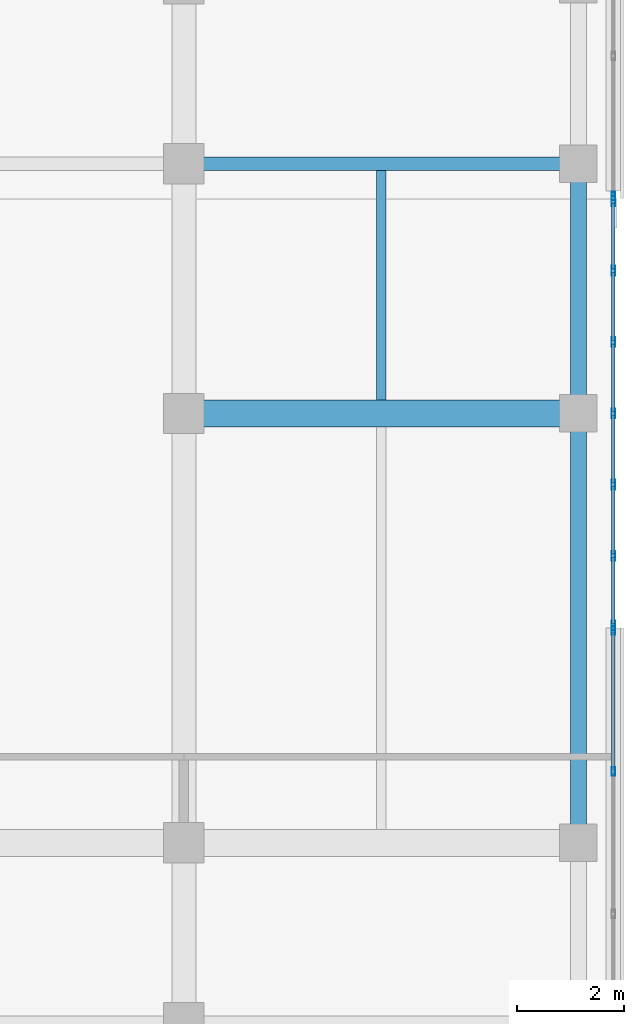
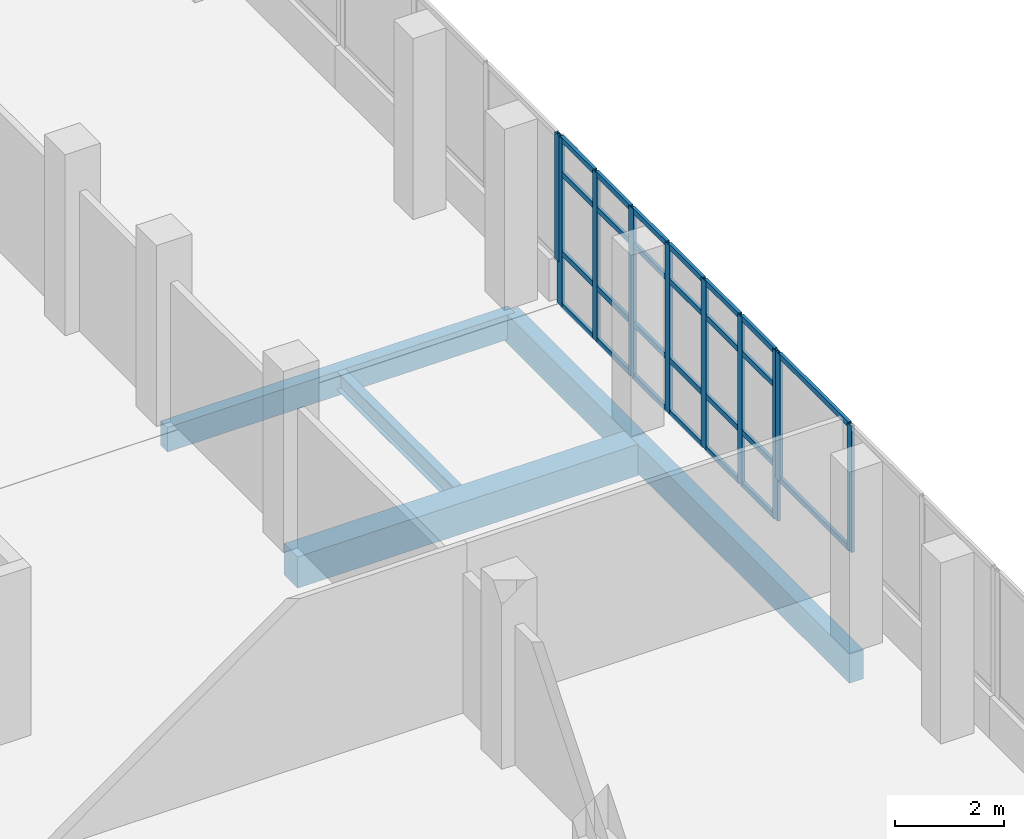
# One storey, part 63 of 101: 36 members, 5 beams, 3 elements without a shape of their own.
"""IFC4 building model written with IfcOpenShell, lengths in metres."""

from ifc_helpers import new_model, si_unit, direction, frame, origin, origin_2d, place, context, subcontext, project, spatial, rectangle, hollow_rectangle, i_section, extrude, material, material_profile, profile_set, type_object, element, aggregate, save


model = new_model("IFC4")

# Units and contexts
model_context = context("Model", 3, precision=1e-05, world=origin(), true_north=direction((0.0, 1.0)))
body_context = subcontext(model_context, "Body", "Model", "MODEL_VIEW")
ifc_project = project(units=[si_unit("LENGTHUNIT", "METRE"), si_unit("AREAUNIT", "SQUARE_METRE"), si_unit("VOLUMEUNIT", "CUBIC_METRE"), si_unit("PLANEANGLEUNIT", "RADIAN"), si_unit("MASSUNIT", "GRAM", prefix="KILO")], contexts=[model_context])

# Site, building, storey
site_placement = place(None, origin())
site = spatial("IfcSite", under=ifc_project, at=site_placement, CompositionType="ELEMENT")
building_placement = place(site_placement, origin())
building = spatial("IfcBuilding", under=site, at=building_placement, Name="Selatvlak General Hospital", CompositionType="ELEMENT")
storey_placement = place(building_placement, frame((0.0, 0.0, 19.199951171875)))
storey = spatial("IfcBuildingStorey", under=building, at=storey_placement, Name="L04", CompositionType="ELEMENT", Elevation=19.199951171875)

# Beams
ifc_material_1 = material(Name="Concrete C40/50", Category="concrete")
ifc_material_profile_1 = material_profile(ifc_material_1, rectangle(XDim=0.5, YDim=0.699951171875, at=origin_2d()), Name="RC-BM 500x700")
ifc_profile_set_1 = profile_set([ifc_material_profile_1], Name="Concrete C40/50")
beam_type_1 = type_object("IfcBeamType", Name="BM-G03", PredefinedType="BEAM", material=ifc_profile_set_1)
beam_1_placement = place(storey_placement, frame((174.0, 84.0, -0.655029296875), z_axis=(1.0, 0.0, 0.0), x_axis=(0.0, 1.0, 0.0)))
element("IfcBeam", 1, at=beam_1_placement, inside=storey, type_object=beam_type_1, Name="Beam BMR-L04-1536", PredefinedType="BEAM", context=body_context, shape_type="SweptSolid", body=[
    extrude(rectangle(XDim=0.5, YDim=0.699951171875, at=origin_2d()), origin(), (0.0, 0.0, 1.0), 7.35009765625),
])
ifc_material_2 = material(Name="Steel S355", Category="steel")
ifc_material_profile_2 = material_profile(ifc_material_2, i_section(OverallWidth=0.177978515625, OverallDepth=0.406494140625, WebThickness=0.0078125, FlangeThickness=0.0126953125, at=origin_2d()), Name="UB 406x178x60")
ifc_profile_set_2 = profile_set([ifc_material_profile_2], Name="Steel S355")
beam_type_2 = type_object("IfcBeamType", Name="BM-J04", PredefinedType="JOIST", material=ifc_profile_set_2)
beam_2_placement = place(storey_placement, frame((177.675048828125, 84.25, -0.508056640625), z_axis=(0.0, 1.0, 0.0), x_axis=(-1.0, 0.0, 0.0)))
element("IfcBeam", 2, at=beam_2_placement, inside=storey, type_object=beam_type_2, Name="Beam BMR-L04-1787", PredefinedType="JOIST", context=body_context, shape_type="SweptSolid", body=[
    extrude(i_section(OverallWidth=0.177978515625, OverallDepth=0.406494140625, WebThickness=0.0078125, FlangeThickness=0.0126953125, at=origin_2d()), origin(), (0.0, 0.0, 1.0), 4.27490234375),
])
ifc_material_profile_3 = material_profile(ifc_material_1, rectangle(XDim=0.300048828125, YDim=0.64990234375, at=origin_2d()), Name="RC-SP 300x650")
ifc_profile_set_3 = profile_set([ifc_material_profile_3], Name="Concrete C40/50")
beam_type_3 = type_object("IfcBeamType", Name="BM-SP1", PredefinedType="SPANDREL", material=ifc_profile_set_3)
beam_3_placement = place(storey_placement, frame((181.35009765625, 76.0, -0.6298828125), z_axis=(0.0, 1.0, 0.0), x_axis=(-1.0, 0.0, 0.0)))
element("IfcBeam", 3, at=beam_3_placement, inside=storey, type_object=beam_type_3, Name="Beam BMR-L04-1769", PredefinedType="SPANDREL", context=body_context, shape_type="SweptSolid", body=[
    extrude(rectangle(XDim=0.300048828125, YDim=0.64990234375, at=origin_2d()), origin(), (0.0, 0.0, 1.0), 8.0),
])
beam_4_placement = place(storey_placement, frame((181.35009765625, 84.0, -0.6298828125), z_axis=(0.0, 1.0, 0.0), x_axis=(-1.0, 0.0, 0.0)))
element("IfcBeam", 4, at=beam_4_placement, inside=storey, type_object=beam_type_3, Name="Beam BMR-L04-1770", PredefinedType="SPANDREL", context=body_context, shape_type="SweptSolid", body=[
    extrude(rectangle(XDim=0.300048828125, YDim=0.64990234375, at=origin_2d()), origin(), (0.0, 0.0, 1.0), 4.64990234375),
])
ifc_material_profile_4 = material_profile(ifc_material_1, rectangle(XDim=0.25, YDim=0.550048828125, at=origin_2d()), Name="RC-SP 250x550")
ifc_profile_set_4 = profile_set([ifc_material_profile_4], Name="Concrete C40/50")
beam_type_4 = type_object("IfcBeamType", Name="BM-SP2", PredefinedType="SPANDREL", material=ifc_profile_set_4)
beam_5_placement = place(storey_placement, frame((174.0, 88.64990234375, -0.579833984375), z_axis=(1.0, 0.0, 0.0), x_axis=(0.0, 1.0, 0.0)))
element("IfcBeam", 5, at=beam_5_placement, inside=storey, type_object=beam_type_4, Name="Beam BMR-L04-1553", PredefinedType="SPANDREL", context=body_context, shape_type="SweptSolid", body=[
    extrude(rectangle(XDim=0.25, YDim=0.550048828125, at=origin_2d()), origin(), (0.0, 0.0, 1.0), 7.35009765625),
])

# Curtain wall, member
ifc_material_3 = material(Name="Solar-control Low-E double glazing", Category="glass")
curtain_wall_type_1 = type_object("IfcCurtainWallType", Name="CW-CW-01", PredefinedType="USERDEFINED", material=ifc_material_3)
curtain_wall_1_placement = place(storey_placement, origin())
curtain_wall_1 = element("IfcCurtainWall", 6, at=curtain_wall_1_placement, inside=storey, type_object=curtain_wall_type_1, Name="Glazed facade curtain wall CW-L04-0503", ObjectType="UNITISED CURTAIN WALL", PredefinedType="USERDEFINED")
ifc_material_4 = material(Name="Dark anodised aluminium mullion", Category="aluminium")
ifc_material_profile_5 = material_profile(ifc_material_4, hollow_rectangle(XDim=0.06494140625, YDim=0.159912109375, WallThickness=0.00390625, at=origin_2d()), Name="AL-MUL 65x160x4")
ifc_profile_set_5 = profile_set([ifc_material_profile_5], Name="Dark anodised aluminium mullion")
member_type_1 = type_object("IfcMemberType", Name="CWM-01", PredefinedType="MULLION", material=ifc_profile_set_5)
member_1_placement = place(storey_placement, frame((182.0, 88.048583984375, 0.93994140625), z_axis=(0.0, 0.0, 1.0), x_axis=(1.0, 0.0, 0.0)))
member_1 = element("IfcMember", 7, at=member_1_placement, type_object=member_type_1, Name="CW-01 mullion 4", PredefinedType="MULLION", context=body_context, shape_type="SweptSolid", body=[
    extrude(hollow_rectangle(XDim=0.06494140625, YDim=0.159912109375, WallThickness=0.00390625, at=origin_2d()), origin(), (0.0, 0.0, 1.0), 2.830078125),
])
aggregate(curtain_wall_1, [member_1])

# Curtain wall, members
curtain_wall_2_placement = place(storey_placement, origin())
curtain_wall_2 = element("IfcCurtainWall", 8, at=curtain_wall_2_placement, inside=storey, type_object=curtain_wall_type_1, Name="Glazed facade curtain wall CW-L04-0505", ObjectType="UNITISED CURTAIN WALL", PredefinedType="USERDEFINED")
member_2_placement = place(storey_placement, frame((182.0, 79.95361328125, 0.93994140625), z_axis=(0.0, 0.0, 1.0), x_axis=(1.0, 0.0, 0.0)))
member_2 = element("IfcMember", 9, at=member_2_placement, type_object=member_type_1, Name="CW-01 mullion 1", PredefinedType="MULLION", context=body_context, shape_type="SweptSolid", body=[
    extrude(hollow_rectangle(XDim=0.06494140625, YDim=0.159912109375, WallThickness=0.00390625, at=origin_2d()), origin(), (0.0, 0.0, 1.0), 2.830078125),
])
member_3_placement = place(storey_placement, frame((182.0, 77.329345703125, 0.93994140625), z_axis=(0.0, 0.0, 1.0), x_axis=(1.0, 0.0, 0.0)))
member_3 = element("IfcMember", 10, at=member_3_placement, type_object=member_type_1, Name="CW-01 mullion 2", PredefinedType="MULLION", context=body_context, shape_type="SweptSolid", body=[
    extrude(hollow_rectangle(XDim=0.06494140625, YDim=0.159912109375, WallThickness=0.00390625, at=origin_2d()), origin(), (0.0, 0.0, 1.0), 2.830078125),
])

curtain_wall_type_2 = type_object("IfcCurtainWallType", Name="CW-CW-04", PredefinedType="USERDEFINED", material=ifc_material_3)
curtain_wall_3_placement = place(storey_placement, origin())
curtain_wall_3 = element("IfcCurtainWall", 11, at=curtain_wall_3_placement, inside=storey, type_object=curtain_wall_type_2, Name="Glazed facade curtain wall CW-L04-0504", ObjectType="STICK GLAZING WALL", PredefinedType="USERDEFINED")
ifc_material_profile_6 = material_profile(ifc_material_4, hollow_rectangle(XDim=0.06494140625, YDim=0.179931640625, WallThickness=0.00439453125, at=origin_2d()), Name="AL-MUL 65x180x4.5")
ifc_profile_set_6 = profile_set([ifc_material_profile_6], Name="Dark anodised aluminium mullion")
member_type_2 = type_object("IfcMemberType", Name="CWM-02", PredefinedType="MULLION", material=ifc_profile_set_6)
member_4_placement = place(storey_placement, frame((182.0, 87.95361328125, 0.0), z_axis=(0.0, 0.0, 1.0), x_axis=(1.0, 0.0, 0.0)))
member_4 = element("IfcMember", 12, at=member_4_placement, type_object=member_type_2, Name="CW-04 mullion 1", PredefinedType="MULLION", context=body_context, shape_type="SweptSolid", body=[
    extrude(hollow_rectangle(XDim=0.06494140625, YDim=0.179931640625, WallThickness=0.00439453125, at=origin_2d()), origin(), (0.0, 0.0, 1.0), 3.77001953125),
])
member_5_placement = place(storey_placement, frame((182.0, 86.65771484375, 0.0), z_axis=(0.0, 0.0, 1.0), x_axis=(1.0, 0.0, 0.0)))
member_5 = element("IfcMember", 13, at=member_5_placement, type_object=member_type_2, Name="CW-04 mullion 2", PredefinedType="MULLION", context=body_context, shape_type="SweptSolid", body=[
    extrude(hollow_rectangle(XDim=0.06494140625, YDim=0.179931640625, WallThickness=0.00439453125, at=origin_2d()), origin(), (0.0, 0.0, 1.0), 3.77001953125),
])
member_6_placement = place(storey_placement, frame((182.0, 85.329345703125, 0.0), z_axis=(0.0, 0.0, 1.0), x_axis=(1.0, 0.0, 0.0)))
member_6 = element("IfcMember", 14, at=member_6_placement, type_object=member_type_2, Name="CW-04 mullion 3", PredefinedType="MULLION", context=body_context, shape_type="SweptSolid", body=[
    extrude(hollow_rectangle(XDim=0.06494140625, YDim=0.179931640625, WallThickness=0.00439453125, at=origin_2d()), origin(), (0.0, 0.0, 1.0), 3.77001953125),
])
member_7_placement = place(storey_placement, frame((182.0, 84.0009765625, 0.0), z_axis=(0.0, 0.0, 1.0), x_axis=(1.0, 0.0, 0.0)))
member_7 = element("IfcMember", 15, at=member_7_placement, type_object=member_type_2, Name="CW-04 mullion 4", PredefinedType="MULLION", context=body_context, shape_type="SweptSolid", body=[
    extrude(hollow_rectangle(XDim=0.06494140625, YDim=0.179931640625, WallThickness=0.00439453125, at=origin_2d()), origin(), (0.0, 0.0, 1.0), 3.77001953125),
])
member_8_placement = place(storey_placement, frame((182.0, 82.672607421875, 0.0), z_axis=(0.0, 0.0, 1.0), x_axis=(1.0, 0.0, 0.0)))
member_8 = element("IfcMember", 16, at=member_8_placement, type_object=member_type_2, Name="CW-04 mullion 5", PredefinedType="MULLION", context=body_context, shape_type="SweptSolid", body=[
    extrude(hollow_rectangle(XDim=0.06494140625, YDim=0.179931640625, WallThickness=0.00439453125, at=origin_2d()), origin(), (0.0, 0.0, 1.0), 3.77001953125),
])
member_9_placement = place(storey_placement, frame((182.0, 81.34423828125, 0.0), z_axis=(0.0, 0.0, 1.0), x_axis=(1.0, 0.0, 0.0)))
member_9 = element("IfcMember", 17, at=member_9_placement, type_object=member_type_2, Name="CW-04 mullion 6", PredefinedType="MULLION", context=body_context, shape_type="SweptSolid", body=[
    extrude(hollow_rectangle(XDim=0.06494140625, YDim=0.179931640625, WallThickness=0.00439453125, at=origin_2d()), origin(), (0.0, 0.0, 1.0), 3.77001953125),
])
member_10_placement = place(storey_placement, frame((182.0, 80.048583984375, 0.0), z_axis=(0.0, 0.0, 1.0), x_axis=(1.0, 0.0, 0.0)))
member_10 = element("IfcMember", 18, at=member_10_placement, type_object=member_type_2, Name="CW-04 mullion 7", PredefinedType="MULLION", context=body_context, shape_type="SweptSolid", body=[
    extrude(hollow_rectangle(XDim=0.06494140625, YDim=0.179931640625, WallThickness=0.00439453125, at=origin_2d()), origin(), (0.0, 0.0, 1.0), 3.77001953125),
])
ifc_material_profile_7 = material_profile(ifc_material_4, hollow_rectangle(XDim=0.06494140625, YDim=0.1201171875, WallThickness=0.00390625, at=origin_2d()), Name="AL-TRN 65x120x4")
ifc_profile_set_7 = profile_set([ifc_material_profile_7], Name="Dark anodised aluminium mullion")
member_type_3 = type_object("IfcMemberType", Name="CWT-01", PredefinedType="USERDEFINED", material=ifc_profile_set_7)
member_11_placement = place(storey_placement, frame((182.0, 87.9208984375, 0.032470703125), z_axis=(0.0, -1.0, 0.0), x_axis=(1.0, 0.0, 0.0)))
member_11 = element("IfcMember", 19, at=member_11_placement, type_object=member_type_3, Name="CW-04 transom 1.1", ObjectType="TRANSOM", PredefinedType="USERDEFINED", context=body_context, shape_type="SweptSolid", body=[
    extrude(hollow_rectangle(XDim=0.06494140625, YDim=0.1201171875, WallThickness=0.00390625, at=origin_2d()), origin(), (0.0, 0.0, 1.0), 1.230712890625),
])
member_12_placement = place(storey_placement, frame((182.0, 87.9208984375, 1.199951171875), z_axis=(0.0, -1.0, 0.0), x_axis=(1.0, 0.0, 0.0)))
member_12 = element("IfcMember", 20, at=member_12_placement, type_object=member_type_3, Name="CW-04 transom 1.2", ObjectType="TRANSOM", PredefinedType="USERDEFINED", context=body_context, shape_type="SweptSolid", body=[
    extrude(hollow_rectangle(XDim=0.06494140625, YDim=0.1201171875, WallThickness=0.00390625, at=origin_2d()), origin(), (0.0, 0.0, 1.0), 1.230712890625),
])
member_13_placement = place(storey_placement, frame((182.0, 87.9208984375, 2.969970703125), z_axis=(0.0, -1.0, 0.0), x_axis=(1.0, 0.0, 0.0)))
member_13 = element("IfcMember", 21, at=member_13_placement, type_object=member_type_3, Name="CW-04 transom 1.3", ObjectType="TRANSOM", PredefinedType="USERDEFINED", context=body_context, shape_type="SweptSolid", body=[
    extrude(hollow_rectangle(XDim=0.06494140625, YDim=0.1201171875, WallThickness=0.00390625, at=origin_2d()), origin(), (0.0, 0.0, 1.0), 1.230712890625),
])
member_14_placement = place(storey_placement, frame((182.0, 87.9208984375, 3.737548828125), z_axis=(0.0, -1.0, 0.0), x_axis=(1.0, 0.0, 0.0)))
member_14 = element("IfcMember", 22, at=member_14_placement, type_object=member_type_3, Name="CW-04 transom 1.4", ObjectType="TRANSOM", PredefinedType="USERDEFINED", context=body_context, shape_type="SweptSolid", body=[
    extrude(hollow_rectangle(XDim=0.06494140625, YDim=0.1201171875, WallThickness=0.00390625, at=origin_2d()), origin(), (0.0, 0.0, 1.0), 1.230712890625),
])
member_15_placement = place(storey_placement, frame((182.0, 86.625244140625, 0.032470703125), z_axis=(0.0, -1.0, 0.0), x_axis=(1.0, 0.0, 0.0)))
member_15 = element("IfcMember", 23, at=member_15_placement, type_object=member_type_3, Name="CW-04 transom 2.1", ObjectType="TRANSOM", PredefinedType="USERDEFINED", context=body_context, shape_type="SweptSolid", body=[
    extrude(hollow_rectangle(XDim=0.06494140625, YDim=0.1201171875, WallThickness=0.00390625, at=origin_2d()), origin(), (0.0, 0.0, 1.0), 1.263427734375),
])
member_16_placement = place(storey_placement, frame((182.0, 86.625244140625, 1.199951171875), z_axis=(0.0, -1.0, 0.0), x_axis=(1.0, 0.0, 0.0)))
member_16 = element("IfcMember", 24, at=member_16_placement, type_object=member_type_3, Name="CW-04 transom 2.2", ObjectType="TRANSOM", PredefinedType="USERDEFINED", context=body_context, shape_type="SweptSolid", body=[
    extrude(hollow_rectangle(XDim=0.06494140625, YDim=0.1201171875, WallThickness=0.00390625, at=origin_2d()), origin(), (0.0, 0.0, 1.0), 1.263427734375),
])
member_17_placement = place(storey_placement, frame((182.0, 86.625244140625, 2.969970703125), z_axis=(0.0, -1.0, 0.0), x_axis=(1.0, 0.0, 0.0)))
member_17 = element("IfcMember", 25, at=member_17_placement, type_object=member_type_3, Name="CW-04 transom 2.3", ObjectType="TRANSOM", PredefinedType="USERDEFINED", context=body_context, shape_type="SweptSolid", body=[
    extrude(hollow_rectangle(XDim=0.06494140625, YDim=0.1201171875, WallThickness=0.00390625, at=origin_2d()), origin(), (0.0, 0.0, 1.0), 1.263427734375),
])
member_18_placement = place(storey_placement, frame((182.0, 86.625244140625, 3.737548828125), z_axis=(0.0, -1.0, 0.0), x_axis=(1.0, 0.0, 0.0)))
member_18 = element("IfcMember", 26, at=member_18_placement, type_object=member_type_3, Name="CW-04 transom 2.4", ObjectType="TRANSOM", PredefinedType="USERDEFINED", context=body_context, shape_type="SweptSolid", body=[
    extrude(hollow_rectangle(XDim=0.06494140625, YDim=0.1201171875, WallThickness=0.00390625, at=origin_2d()), origin(), (0.0, 0.0, 1.0), 1.263427734375),
])
member_19_placement = place(storey_placement, frame((182.0, 85.296875, 0.032470703125), z_axis=(0.0, -1.0, 0.0), x_axis=(1.0, 0.0, 0.0)))
member_19 = element("IfcMember", 27, at=member_19_placement, type_object=member_type_3, Name="CW-04 transom 3.1", ObjectType="TRANSOM", PredefinedType="USERDEFINED", context=body_context, shape_type="SweptSolid", body=[
    extrude(hollow_rectangle(XDim=0.06494140625, YDim=0.1201171875, WallThickness=0.00390625, at=origin_2d()), origin(), (0.0, 0.0, 1.0), 1.263427734375),
])
member_20_placement = place(storey_placement, frame((182.0, 85.296875, 1.199951171875), z_axis=(0.0, -1.0, 0.0), x_axis=(1.0, 0.0, 0.0)))
member_20 = element("IfcMember", 28, at=member_20_placement, type_object=member_type_3, Name="CW-04 transom 3.2", ObjectType="TRANSOM", PredefinedType="USERDEFINED", context=body_context, shape_type="SweptSolid", body=[
    extrude(hollow_rectangle(XDim=0.06494140625, YDim=0.1201171875, WallThickness=0.00390625, at=origin_2d()), origin(), (0.0, 0.0, 1.0), 1.263427734375),
])
member_21_placement = place(storey_placement, frame((182.0, 85.296875, 2.969970703125), z_axis=(0.0, -1.0, 0.0), x_axis=(1.0, 0.0, 0.0)))
member_21 = element("IfcMember", 29, at=member_21_placement, type_object=member_type_3, Name="CW-04 transom 3.3", ObjectType="TRANSOM", PredefinedType="USERDEFINED", context=body_context, shape_type="SweptSolid", body=[
    extrude(hollow_rectangle(XDim=0.06494140625, YDim=0.1201171875, WallThickness=0.00390625, at=origin_2d()), origin(), (0.0, 0.0, 1.0), 1.263427734375),
])
member_22_placement = place(storey_placement, frame((182.0, 85.296875, 3.737548828125), z_axis=(0.0, -1.0, 0.0), x_axis=(1.0, 0.0, 0.0)))
member_22 = element("IfcMember", 30, at=member_22_placement, type_object=member_type_3, Name="CW-04 transom 3.4", ObjectType="TRANSOM", PredefinedType="USERDEFINED", context=body_context, shape_type="SweptSolid", body=[
    extrude(hollow_rectangle(XDim=0.06494140625, YDim=0.1201171875, WallThickness=0.00390625, at=origin_2d()), origin(), (0.0, 0.0, 1.0), 1.263427734375),
])
member_23_placement = place(storey_placement, frame((182.0, 83.968505859375, 0.032470703125), z_axis=(0.0, -1.0, 0.0), x_axis=(1.0, 0.0, 0.0)))
member_23 = element("IfcMember", 31, at=member_23_placement, type_object=member_type_3, Name="CW-04 transom 4.1", ObjectType="TRANSOM", PredefinedType="USERDEFINED", context=body_context, shape_type="SweptSolid", body=[
    extrude(hollow_rectangle(XDim=0.06494140625, YDim=0.1201171875, WallThickness=0.00390625, at=origin_2d()), origin(), (0.0, 0.0, 1.0), 1.263427734375),
])
member_24_placement = place(storey_placement, frame((182.0, 83.968505859375, 1.199951171875), z_axis=(0.0, -1.0, 0.0), x_axis=(1.0, 0.0, 0.0)))
member_24 = element("IfcMember", 32, at=member_24_placement, type_object=member_type_3, Name="CW-04 transom 4.2", ObjectType="TRANSOM", PredefinedType="USERDEFINED", context=body_context, shape_type="SweptSolid", body=[
    extrude(hollow_rectangle(XDim=0.06494140625, YDim=0.1201171875, WallThickness=0.00390625, at=origin_2d()), origin(), (0.0, 0.0, 1.0), 1.263427734375),
])
member_25_placement = place(storey_placement, frame((182.0, 83.968505859375, 2.969970703125), z_axis=(0.0, -1.0, 0.0), x_axis=(1.0, 0.0, 0.0)))
member_25 = element("IfcMember", 33, at=member_25_placement, type_object=member_type_3, Name="CW-04 transom 4.3", ObjectType="TRANSOM", PredefinedType="USERDEFINED", context=body_context, shape_type="SweptSolid", body=[
    extrude(hollow_rectangle(XDim=0.06494140625, YDim=0.1201171875, WallThickness=0.00390625, at=origin_2d()), origin(), (0.0, 0.0, 1.0), 1.263427734375),
])
member_26_placement = place(storey_placement, frame((182.0, 83.968505859375, 3.737548828125), z_axis=(0.0, -1.0, 0.0), x_axis=(1.0, 0.0, 0.0)))
member_26 = element("IfcMember", 34, at=member_26_placement, type_object=member_type_3, Name="CW-04 transom 4.4", ObjectType="TRANSOM", PredefinedType="USERDEFINED", context=body_context, shape_type="SweptSolid", body=[
    extrude(hollow_rectangle(XDim=0.06494140625, YDim=0.1201171875, WallThickness=0.00390625, at=origin_2d()), origin(), (0.0, 0.0, 1.0), 1.263427734375),
])
member_27_placement = place(storey_placement, frame((182.0, 82.64013671875, 0.032470703125), z_axis=(0.0, -1.0, 0.0), x_axis=(1.0, 0.0, 0.0)))
member_27 = element("IfcMember", 35, at=member_27_placement, type_object=member_type_3, Name="CW-04 transom 5.1", ObjectType="TRANSOM", PredefinedType="USERDEFINED", context=body_context, shape_type="SweptSolid", body=[
    extrude(hollow_rectangle(XDim=0.06494140625, YDim=0.1201171875, WallThickness=0.00390625, at=origin_2d()), origin(), (0.0, 0.0, 1.0), 1.26318359375),
])
member_28_placement = place(storey_placement, frame((182.0, 82.64013671875, 1.199951171875), z_axis=(0.0, -1.0, 0.0), x_axis=(1.0, 0.0, 0.0)))
member_28 = element("IfcMember", 36, at=member_28_placement, type_object=member_type_3, Name="CW-04 transom 5.2", ObjectType="TRANSOM", PredefinedType="USERDEFINED", context=body_context, shape_type="SweptSolid", body=[
    extrude(hollow_rectangle(XDim=0.06494140625, YDim=0.1201171875, WallThickness=0.00390625, at=origin_2d()), origin(), (0.0, 0.0, 1.0), 1.26318359375),
])
member_29_placement = place(storey_placement, frame((182.0, 82.64013671875, 2.969970703125), z_axis=(0.0, -1.0, 0.0), x_axis=(1.0, 0.0, 0.0)))
member_29 = element("IfcMember", 37, at=member_29_placement, type_object=member_type_3, Name="CW-04 transom 5.3", ObjectType="TRANSOM", PredefinedType="USERDEFINED", context=body_context, shape_type="SweptSolid", body=[
    extrude(hollow_rectangle(XDim=0.06494140625, YDim=0.1201171875, WallThickness=0.00390625, at=origin_2d()), origin(), (0.0, 0.0, 1.0), 1.26318359375),
])
member_30_placement = place(storey_placement, frame((182.0, 82.64013671875, 3.737548828125), z_axis=(0.0, -1.0, 0.0), x_axis=(1.0, 0.0, 0.0)))
member_30 = element("IfcMember", 38, at=member_30_placement, type_object=member_type_3, Name="CW-04 transom 5.4", ObjectType="TRANSOM", PredefinedType="USERDEFINED", context=body_context, shape_type="SweptSolid", body=[
    extrude(hollow_rectangle(XDim=0.06494140625, YDim=0.1201171875, WallThickness=0.00390625, at=origin_2d()), origin(), (0.0, 0.0, 1.0), 1.26318359375),
])
member_31_placement = place(storey_placement, frame((182.0, 81.311767578125, 0.032470703125), z_axis=(0.0, -1.0, 0.0), x_axis=(1.0, 0.0, 0.0)))
member_31 = element("IfcMember", 39, at=member_31_placement, type_object=member_type_3, Name="CW-04 transom 6.1", ObjectType="TRANSOM", PredefinedType="USERDEFINED", context=body_context, shape_type="SweptSolid", body=[
    extrude(hollow_rectangle(XDim=0.06494140625, YDim=0.1201171875, WallThickness=0.00390625, at=origin_2d()), origin(), (0.0, 0.0, 1.0), 1.230712890625),
])
member_32_placement = place(storey_placement, frame((182.0, 81.311767578125, 1.199951171875), z_axis=(0.0, -1.0, 0.0), x_axis=(1.0, 0.0, 0.0)))
member_32 = element("IfcMember", 40, at=member_32_placement, type_object=member_type_3, Name="CW-04 transom 6.2", ObjectType="TRANSOM", PredefinedType="USERDEFINED", context=body_context, shape_type="SweptSolid", body=[
    extrude(hollow_rectangle(XDim=0.06494140625, YDim=0.1201171875, WallThickness=0.00390625, at=origin_2d()), origin(), (0.0, 0.0, 1.0), 1.230712890625),
])
member_33_placement = place(storey_placement, frame((182.0, 81.311767578125, 2.969970703125), z_axis=(0.0, -1.0, 0.0), x_axis=(1.0, 0.0, 0.0)))
member_33 = element("IfcMember", 41, at=member_33_placement, type_object=member_type_3, Name="CW-04 transom 6.3", ObjectType="TRANSOM", PredefinedType="USERDEFINED", context=body_context, shape_type="SweptSolid", body=[
    extrude(hollow_rectangle(XDim=0.06494140625, YDim=0.1201171875, WallThickness=0.00390625, at=origin_2d()), origin(), (0.0, 0.0, 1.0), 1.230712890625),
])
member_34_placement = place(storey_placement, frame((182.0, 81.311767578125, 3.737548828125), z_axis=(0.0, -1.0, 0.0), x_axis=(1.0, 0.0, 0.0)))
member_34 = element("IfcMember", 42, at=member_34_placement, type_object=member_type_3, Name="CW-04 transom 6.4", ObjectType="TRANSOM", PredefinedType="USERDEFINED", context=body_context, shape_type="SweptSolid", body=[
    extrude(hollow_rectangle(XDim=0.06494140625, YDim=0.1201171875, WallThickness=0.00390625, at=origin_2d()), origin(), (0.0, 0.0, 1.0), 1.230712890625),
])
aggregate(curtain_wall_3, [member_4, member_5, member_6, member_7, member_8, member_9, member_10, member_11, member_12, member_13, member_14, member_15, member_16, member_17, member_18, member_19, member_20, member_21, member_22, member_23, member_24, member_25, member_26, member_27, member_28, member_29, member_30, member_31, member_32, member_33, member_34])

# Member
member_35_placement = place(storey_placement, frame((182.0, 79.9208984375, 0.97265625), z_axis=(0.0, -1.0, 0.0), x_axis=(1.0, 0.0, 0.0)))
member_35 = element("IfcMember", 43, at=member_35_placement, type_object=member_type_3, Name="CW-01 transom 1.1", ObjectType="TRANSOM", PredefinedType="USERDEFINED", context=body_context, shape_type="SweptSolid", body=[
    extrude(hollow_rectangle(XDim=0.06494140625, YDim=0.1201171875, WallThickness=0.00390625, at=origin_2d()), origin(), (0.0, 0.0, 1.0), 2.55908203125),
])

member_36_placement = place(storey_placement, frame((182.0, 79.9208984375, 3.737548828125), z_axis=(0.0, -1.0, 0.0), x_axis=(1.0, 0.0, 0.0)))
member_36 = element("IfcMember", 44, at=member_36_placement, type_object=member_type_3, Name="CW-01 transom 1.2", ObjectType="TRANSOM", PredefinedType="USERDEFINED", context=body_context, shape_type="SweptSolid", body=[
    extrude(hollow_rectangle(XDim=0.06494140625, YDim=0.1201171875, WallThickness=0.00390625, at=origin_2d()), origin(), (0.0, 0.0, 1.0), 2.55908203125),
])

aggregate(curtain_wall_2, [member_2, member_3, member_35, member_36])

save(model, "model.ifc")
